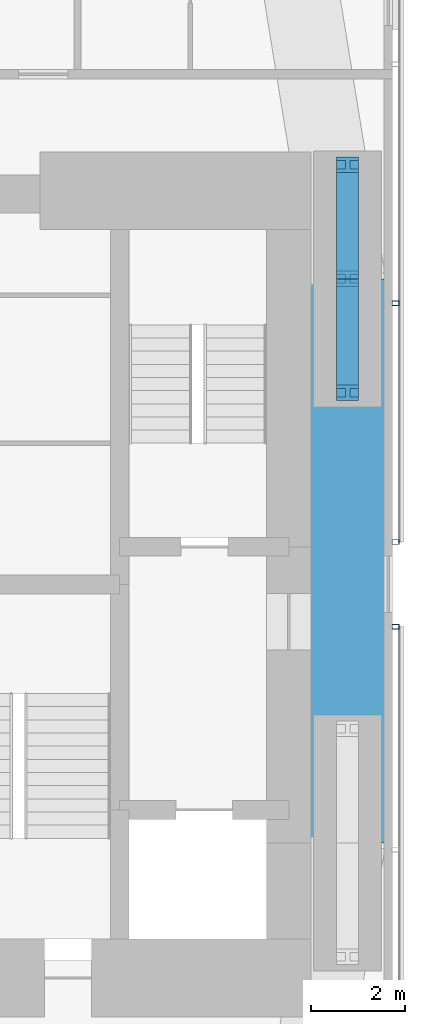
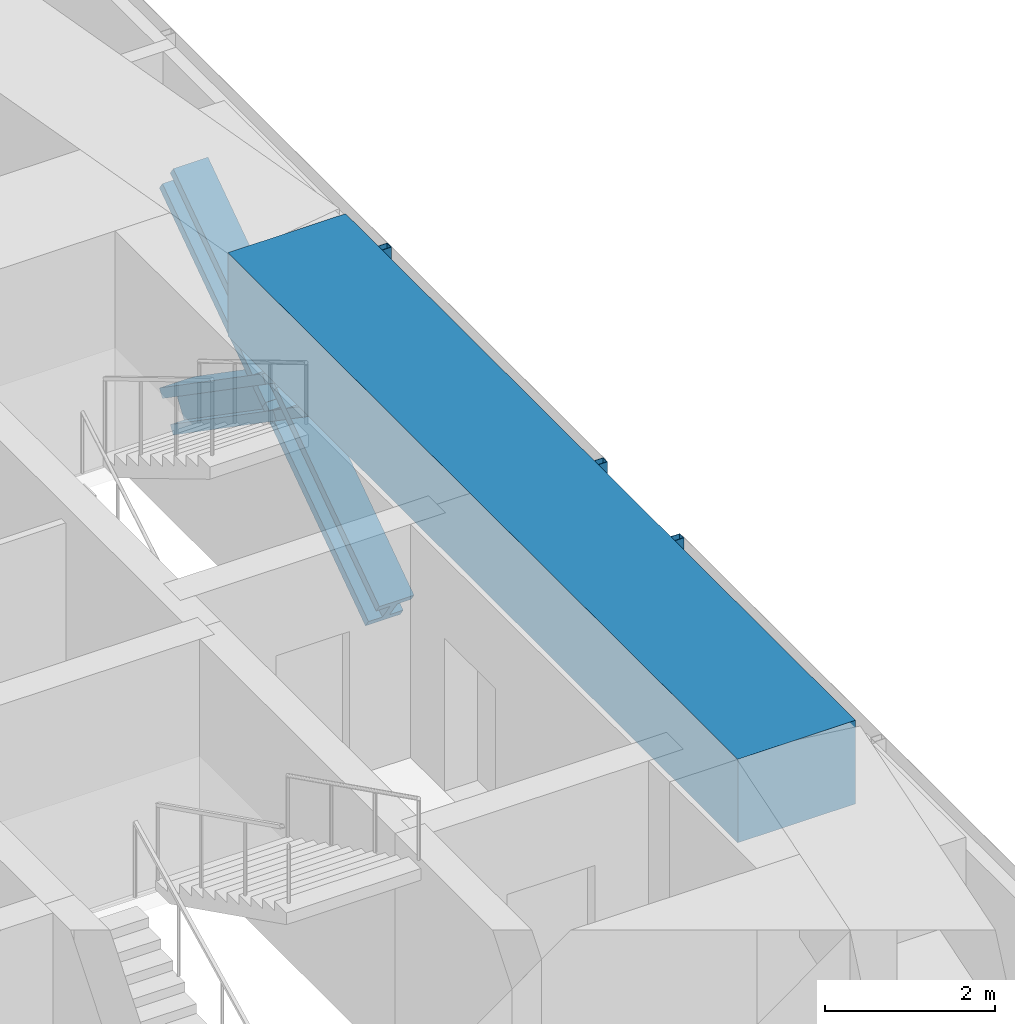
# One storey, part 9 of 23: 7 members, 1 beam, 2 elements without a shape of their own.
"""IFC4 building model written with IfcOpenShell, lengths in metres."""

from ifc_helpers import new_model, si_unit, direction, frame, origin, origin_2d, place, context, subcontext, project, spatial, rectangle, hollow_rectangle, i_section, extrude, material, material_profile, profile_set, type_object, element, aggregate, save


model = new_model("IFC4")

# Units and contexts
model_context = context("Model", 3, precision=1e-05, world=origin(), true_north=direction((0.0, 1.0)))
body_context = subcontext(model_context, "Body", "Model", "MODEL_VIEW")
ifc_project = project(units=[si_unit("LENGTHUNIT", "METRE"), si_unit("AREAUNIT", "SQUARE_METRE"), si_unit("VOLUMEUNIT", "CUBIC_METRE"), si_unit("PLANEANGLEUNIT", "RADIAN"), si_unit("MASSUNIT", "GRAM", prefix="KILO")], contexts=[model_context])

# Site, building, storey
site_placement = place(None, origin())
site = spatial("IfcSite", under=ifc_project, at=site_placement, CompositionType="ELEMENT")
building_placement = place(site_placement, origin())
building = spatial("IfcBuilding", under=site, at=building_placement, Name="Jalousie Tower", CompositionType="ELEMENT")
storey_placement = place(building_placement, frame((0.0, 0.0, 31.050048828125)))
storey = spatial("IfcBuildingStorey", under=building, at=storey_placement, Name="L07", CompositionType="ELEMENT", Elevation=31.050048828125)

# Members
ifc_material_1 = material(Name="Steel ASTM A992 Grade 50", Category="steel")
ifc_material_profile_1 = material_profile(ifc_material_1, i_section(OverallWidth=0.472412109375, OverallDepth=0.5791015625, WebThickness=0.094970703125, FlangeThickness=0.1298828125, at=origin_2d()), Name="W14X808")
ifc_profile_set_1 = profile_set([ifc_material_profile_1], Name="Steel ASTM A992 Grade 50")
member_type_1 = type_object("IfcMemberType", Name="PERIMETER BRACE W14X808", PredefinedType="BRACE", material=ifc_profile_set_1)
for number, where, z_axis, x_axis, name in (
    (1, (45.050048828125, 22.574951171875, -0.60009765625), (0.0, 0.822800062329, 0.568330940062), (-1.0, 0.0, 0.0), "Perimeter brace 07 L07 part 1"),
    (2, (45.050048828125, 25.0, 1.074951171875), (0.0, 0.822800062329, 0.568330940062), (-1.0, 0.0, 0.0), "Perimeter brace 07 L07 part 2"),
    (3, (45.050048828125, 27.425048828125, -0.60009765625), (0.0, -0.822800062329, 0.568330940062), (1.0, 0.0, 0.0), "Perimeter brace 07 L07 part 3"),
    (4, (45.050048828125, 25.0, 1.074951171875), (0.0, -0.822800062329, 0.568330940062), (1.0, 0.0, 0.0), "Perimeter brace 07 L07 part 4"),
):
    element("IfcMember", number, at=place(storey_placement, frame(where, z_axis=z_axis, x_axis=x_axis)), inside=storey, type_object=member_type_1, Name=name, PredefinedType="BRACE", context=body_context, shape_type="SweptSolid", body=[
        extrude(i_section(OverallWidth=0.472412109375, OverallDepth=0.5791015625, WebThickness=0.094970703125, FlangeThickness=0.1298828125, at=origin_2d()), origin(), (0.0, 0.0, 1.0), 2.947265625),
    ])

# Beam
ifc_material_2 = material(Name="Concrete f'c 40 MPa", Category="concrete")
ifc_material_profile_2 = material_profile(ifc_material_2, rectangle(XDim=1.60009765625, YDim=1.199951171875, at=origin_2d()), Name="RC 1600x1200")
ifc_profile_set_2 = profile_set([ifc_material_profile_2], Name="Concrete f'c 40 MPa")
beam_type = type_object("IfcBeamType", Name="RC BEAM 1600x1200", PredefinedType="BEAM", material=ifc_profile_set_2)
beam_placement = place(storey_placement, frame((45.050048828125, 13.0, 2.75), z_axis=(0.0, 1.0, 0.0), x_axis=(-1.0, 0.0, 0.0)))
element("IfcBeam", 5, at=beam_placement, inside=storey, type_object=beam_type, Name="Edge band beam 06-07 under L08", PredefinedType="BEAM", context=body_context, shape_type="SweptSolid", body=[
    extrude(rectangle(XDim=1.60009765625, YDim=1.199951171875, at=origin_2d()), origin(), (0.0, 0.0, 1.0), 12.0),
])

# Curtain wall, member
ifc_material_3 = material(Name="Perforated aluminium sheet", Category="aluminium")
curtain_wall_type = type_object("IfcCurtainWallType", Name="SOLAR SCREEN SS-1", PredefinedType="USERDEFINED", material=ifc_material_3)
curtain_wall_1_placement = place(storey_placement, origin())
curtain_wall_1 = element("IfcCurtainWall", 6, at=curtain_wall_1_placement, inside=storey, type_object=curtain_wall_type, Name="Solar screen L07", ObjectType="SOLAR SCREEN SS-1", PredefinedType="USERDEFINED")
ifc_material_4 = material(Name="Steel ASTM A500 Grade C", Category="steel")
ifc_material_profile_3 = material_profile(ifc_material_4, hollow_rectangle(XDim=0.1015625, YDim=0.15234375, WallThickness=0.00634765625, at=origin_2d()), Name="HSS6X4X1/4")
ifc_profile_set_3 = profile_set([ifc_material_profile_3], Name="Steel ASTM A500 Grade C")
member_type_2 = type_object("IfcMemberType", Name="SOLAR SCREEN SS-1 MULLION", PredefinedType="MULLION", material=ifc_profile_set_3)
member_1_placement = place(storey_placement, frame((46.0712890625, 17.60009765625, -0.1201171875), z_axis=(0.0, 0.0, 1.0), x_axis=(0.0, 1.0, 0.0)))
member_1 = element("IfcMember", 7, at=member_1_placement, type_object=member_type_2, Name="SS1 post 4", PredefinedType="MULLION", context=body_context, shape_type="SweptSolid", body=[
    extrude(hollow_rectangle(XDim=0.1015625, YDim=0.15234375, WallThickness=0.00634765625, at=origin_2d()), origin(), (0.0, 0.0, 1.0), 3.22998046875),
])
aggregate(curtain_wall_1, [member_1])

# Curtain wall, members
curtain_wall_2_placement = place(storey_placement, origin())
curtain_wall_2 = element("IfcCurtainWall", 8, at=curtain_wall_2_placement, inside=storey, type_object=curtain_wall_type, Name="Solar screen L07", ObjectType="SOLAR SCREEN SS-1", PredefinedType="USERDEFINED")
member_2_placement = place(storey_placement, frame((46.0712890625, 19.39990234375, -0.1201171875), z_axis=(0.0, 0.0, 1.0), x_axis=(0.0, 1.0, 0.0)))
member_2 = element("IfcMember", 9, at=member_2_placement, type_object=member_type_2, Name="SS1 post 1", PredefinedType="MULLION", context=body_context, shape_type="SweptSolid", body=[
    extrude(hollow_rectangle(XDim=0.1015625, YDim=0.15234375, WallThickness=0.00634765625, at=origin_2d()), origin(), (0.0, 0.0, 1.0), 3.22998046875),
])
member_3_placement = place(storey_placement, frame((46.0712890625, 24.48291015625, -0.1201171875), z_axis=(0.0, 0.0, 1.0), x_axis=(0.0, 1.0, 0.0)))
member_3 = element("IfcMember", 10, at=member_3_placement, type_object=member_type_2, Name="SS1 post 2", PredefinedType="MULLION", context=body_context, shape_type="SweptSolid", body=[
    extrude(hollow_rectangle(XDim=0.1015625, YDim=0.15234375, WallThickness=0.00634765625, at=origin_2d()), origin(), (0.0, 0.0, 1.0), 3.22998046875),
])
aggregate(curtain_wall_2, [member_2, member_3])

save(model, "model.ifc")
